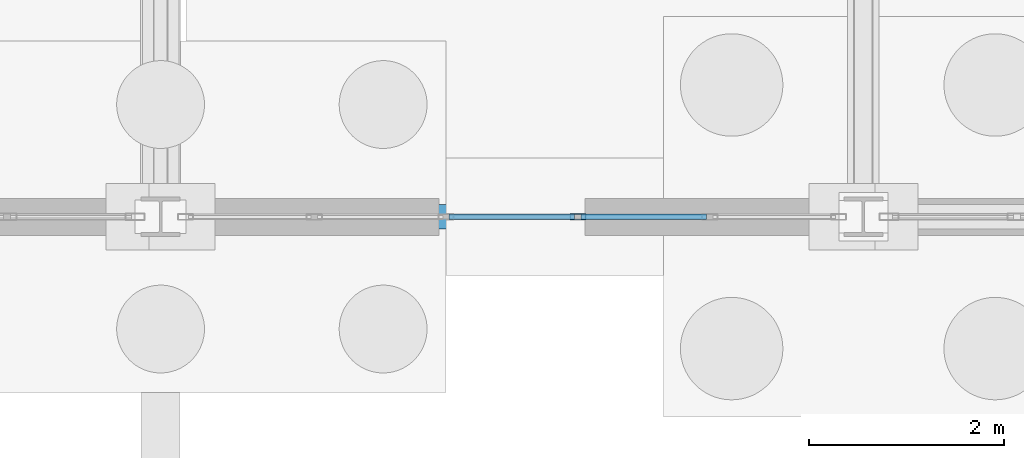
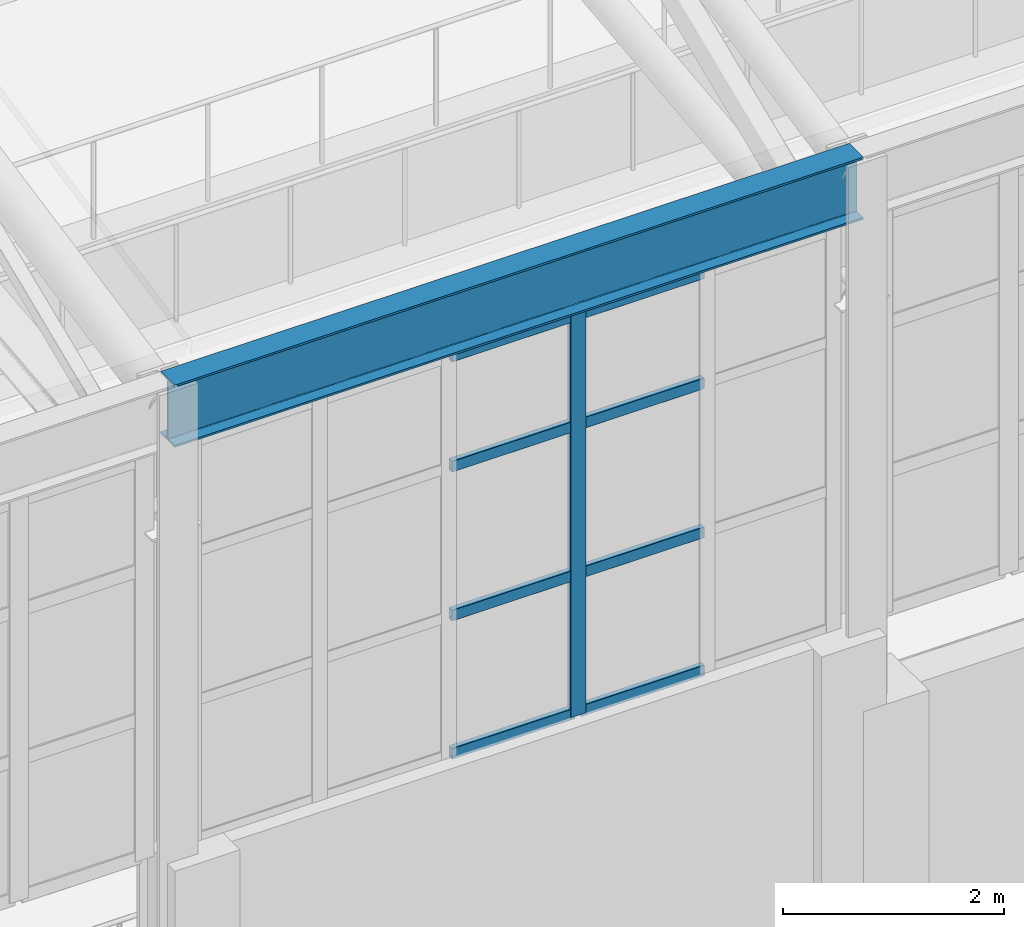
# One storey, part 113 of 293: 9 members, 1 beam, 1 element without a shape of its own.
"""IFC4 building model written with IfcOpenShell, lengths in metres."""

from ifc_helpers import new_model, si_unit, direction, frame, origin, origin_2d, place, context, subcontext, project, spatial, hollow_rectangle, i_section, extrude, material, layer, layer_set, material_profile, profile_set, type_object, element, aggregate, save


model = new_model("IFC4")

# Units and contexts
model_context = context("Model", 3, precision=1e-05, world=origin(), true_north=direction((0.0, 1.0)))
body_context = subcontext(model_context, "Body", "Model", "MODEL_VIEW")
ifc_project = project(units=[si_unit("LENGTHUNIT", "METRE"), si_unit("AREAUNIT", "SQUARE_METRE"), si_unit("VOLUMEUNIT", "CUBIC_METRE"), si_unit("PLANEANGLEUNIT", "RADIAN"), si_unit("MASSUNIT", "GRAM", prefix="KILO")], contexts=[model_context])

# Site, building, storey
site_placement = place(None, origin())
site = spatial("IfcSite", under=ifc_project, at=site_placement, CompositionType="ELEMENT")
building_placement = place(site_placement, origin())
building = spatial("IfcBuilding", under=site, at=building_placement, Name="Kemerveld Promenade Tramway Depot", CompositionType="ELEMENT")
storey_placement = place(building_placement, origin())
storey = spatial("IfcBuildingStorey", under=building, at=storey_placement, Name="L00", CompositionType="ELEMENT", Elevation=0.0)

# Beam
ifc_material_1 = material(Name="Steel S355", Category="steel")
ifc_material_profile_1 = material_profile(ifc_material_1, i_section(OverallWidth=0.25439453125, OverallDepth=0.6875, WebThickness=0.01318359375, FlangeThickness=0.02099609375, FilletRadius=0.01513671875, at=origin_2d()), Name="686x254x152 UB")
ifc_profile_set_1 = profile_set([ifc_material_profile_1], Name="Steel S355")
beam_type = type_object("IfcBeamType", Name="BM-G03", PredefinedType="BEAM", material=ifc_profile_set_1)
beam_placement = place(storey_placement, frame((57.60009765625, 84.0, 11.056396484375), z_axis=(1.0, 0.0, 0.0), x_axis=(0.0, 1.0, 0.0)))
element("IfcBeam", 1, at=beam_placement, inside=storey, type_object=beam_type, Name="BM-SHED-EAVE-N-09", PredefinedType="BEAM", context=body_context, shape_type="SweptSolid", body=[
    extrude(i_section(OverallWidth=0.25439453125, OverallDepth=0.6875, WebThickness=0.01318359375, FlangeThickness=0.02099609375, FilletRadius=0.01513671875, at=origin_2d()), origin(), (0.0, 0.0, 1.0), 7.199951171875),
])

# Curtain wall, members
ifc_material_2 = material(Name="Bronze anodised aluminium and solar glass", Category="aluminium")
ifc_layer = layer(ifc_material_2, 0.159912109375)
ifc_layer_set = layer_set([ifc_layer], Name="CW-SYS-07")
curtain_wall_type = type_object("IfcCurtainWallType", Name="CW-SYS-07", PredefinedType="USERDEFINED", material=ifc_layer_set)
curtain_wall_placement = place(storey_placement, origin())
curtain_wall = element("IfcCurtainWall", 2, at=curtain_wall_placement, inside=storey, type_object=curtain_wall_type, Name="CW-V1-S-04", ObjectType="GLAZED_CURTAIN_WALL", PredefinedType="USERDEFINED")
ifc_material_3 = material(Name="Bronze anodised aluminium", Category="aluminium")
ifc_material_profile_2 = material_profile(ifc_material_3, hollow_rectangle(XDim=0.06494140625, YDim=0.159912109375, WallThickness=0.00390625, InnerFilletRadius=0.001953125, OuterFilletRadius=0.00390625, at=origin_2d()), Name="CW-MUL-160x65")
ifc_profile_set_2 = profile_set([ifc_material_profile_2], Name="Bronze anodised aluminium")
member_type_1 = type_object("IfcMemberType", Name="CW-MUL-A", PredefinedType="MULLION", material=ifc_profile_set_2)
member_1_placement = place(storey_placement, frame((61.875244140625, 84.0, 6.199951171875), z_axis=(0.0, 0.0, 1.0), x_axis=(0.0, -1.0, 0.0)))
member_1 = element("IfcMember", 3, at=member_1_placement, type_object=member_type_1, Name="CW07 mullion 3", PredefinedType="MULLION", context=body_context, shape_type="SweptSolid", body=[
    extrude(hollow_rectangle(XDim=0.06494140625, YDim=0.159912109375, WallThickness=0.00390625, InnerFilletRadius=0.001953125, OuterFilletRadius=0.00390625, at=origin_2d()), origin(), (0.0, 0.0, 1.0), 4.449951171875),
])
ifc_material_profile_3 = material_profile(ifc_material_3, hollow_rectangle(XDim=0.06005859375, YDim=0.1201171875, WallThickness=0.00390625, InnerFilletRadius=0.001953125, OuterFilletRadius=0.00390625, at=origin_2d()), Name="CW-TRN-120x60")
ifc_profile_set_3 = profile_set([ifc_material_profile_3], Name="Bronze anodised aluminium")
member_type_2 = type_object("IfcMemberType", Name="CW-TRN-A", PredefinedType="USERDEFINED", material=ifc_profile_set_3)
member_2_placement = place(storey_placement, frame((63.193603515625, 84.0, 6.22998046875), z_axis=(-1.0, 0.0, 0.0), x_axis=(0.0, -1.0, 0.0)))
member_2 = element("IfcMember", 4, at=member_2_placement, type_object=member_type_2, Name="CW07 transom 2.1", ObjectType="TRANSOM", PredefinedType="USERDEFINED", context=body_context, shape_type="SweptSolid", body=[
    extrude(hollow_rectangle(XDim=0.06005859375, YDim=0.1201171875, WallThickness=0.00390625, InnerFilletRadius=0.001953125, OuterFilletRadius=0.00390625, at=origin_2d()), origin(), (0.0, 0.0, 1.0), 1.28564453125),
])
member_3_placement = place(storey_placement, frame((63.193603515625, 84.0, 7.758056640625), z_axis=(-1.0, 0.0, 0.0), x_axis=(0.0, -1.0, 0.0)))
member_3 = element("IfcMember", 5, at=member_3_placement, type_object=member_type_2, Name="CW07 transom 2.2", ObjectType="TRANSOM", PredefinedType="USERDEFINED", context=body_context, shape_type="SweptSolid", body=[
    extrude(hollow_rectangle(XDim=0.06005859375, YDim=0.1201171875, WallThickness=0.00390625, InnerFilletRadius=0.001953125, OuterFilletRadius=0.00390625, at=origin_2d()), origin(), (0.0, 0.0, 1.0), 1.28564453125),
])
member_4_placement = place(storey_placement, frame((63.193603515625, 84.0, 9.404052734375), z_axis=(-1.0, 0.0, 0.0), x_axis=(0.0, -1.0, 0.0)))
member_4 = element("IfcMember", 6, at=member_4_placement, type_object=member_type_2, Name="CW07 transom 2.3", ObjectType="TRANSOM", PredefinedType="USERDEFINED", context=body_context, shape_type="SweptSolid", body=[
    extrude(hollow_rectangle(XDim=0.06005859375, YDim=0.1201171875, WallThickness=0.00390625, InnerFilletRadius=0.001953125, OuterFilletRadius=0.00390625, at=origin_2d()), origin(), (0.0, 0.0, 1.0), 1.28564453125),
])
member_5_placement = place(storey_placement, frame((63.193603515625, 84.0, 10.6201171875), z_axis=(-1.0, 0.0, 0.0), x_axis=(0.0, -1.0, 0.0)))
member_5 = element("IfcMember", 7, at=member_5_placement, type_object=member_type_2, Name="CW07 transom 2.4", ObjectType="TRANSOM", PredefinedType="USERDEFINED", context=body_context, shape_type="SweptSolid", body=[
    extrude(hollow_rectangle(XDim=0.06005859375, YDim=0.1201171875, WallThickness=0.00390625, InnerFilletRadius=0.001953125, OuterFilletRadius=0.00390625, at=origin_2d()), origin(), (0.0, 0.0, 1.0), 1.28564453125),
])
member_6_placement = place(storey_placement, frame((61.8427734375, 84.0, 6.22998046875), z_axis=(-1.0, 0.0, 0.0), x_axis=(0.0, -1.0, 0.0)))
member_6 = element("IfcMember", 8, at=member_6_placement, type_object=member_type_2, Name="CW07 transom 3.1", ObjectType="TRANSOM", PredefinedType="USERDEFINED", context=body_context, shape_type="SweptSolid", body=[
    extrude(hollow_rectangle(XDim=0.06005859375, YDim=0.1201171875, WallThickness=0.00390625, InnerFilletRadius=0.001953125, OuterFilletRadius=0.00390625, at=origin_2d()), origin(), (0.0, 0.0, 1.0), 1.28564453125),
])
member_7_placement = place(storey_placement, frame((61.8427734375, 84.0, 7.758056640625), z_axis=(-1.0, 0.0, 0.0), x_axis=(0.0, -1.0, 0.0)))
member_7 = element("IfcMember", 9, at=member_7_placement, type_object=member_type_2, Name="CW07 transom 3.2", ObjectType="TRANSOM", PredefinedType="USERDEFINED", context=body_context, shape_type="SweptSolid", body=[
    extrude(hollow_rectangle(XDim=0.06005859375, YDim=0.1201171875, WallThickness=0.00390625, InnerFilletRadius=0.001953125, OuterFilletRadius=0.00390625, at=origin_2d()), origin(), (0.0, 0.0, 1.0), 1.28564453125),
])
member_8_placement = place(storey_placement, frame((61.8427734375, 84.0, 9.404052734375), z_axis=(-1.0, 0.0, 0.0), x_axis=(0.0, -1.0, 0.0)))
member_8 = element("IfcMember", 10, at=member_8_placement, type_object=member_type_2, Name="CW07 transom 3.3", ObjectType="TRANSOM", PredefinedType="USERDEFINED", context=body_context, shape_type="SweptSolid", body=[
    extrude(hollow_rectangle(XDim=0.06005859375, YDim=0.1201171875, WallThickness=0.00390625, InnerFilletRadius=0.001953125, OuterFilletRadius=0.00390625, at=origin_2d()), origin(), (0.0, 0.0, 1.0), 1.28564453125),
])
member_9_placement = place(storey_placement, frame((61.8427734375, 84.0, 10.6201171875), z_axis=(-1.0, 0.0, 0.0), x_axis=(0.0, -1.0, 0.0)))
member_9 = element("IfcMember", 11, at=member_9_placement, type_object=member_type_2, Name="CW07 transom 3.4", ObjectType="TRANSOM", PredefinedType="USERDEFINED", context=body_context, shape_type="SweptSolid", body=[
    extrude(hollow_rectangle(XDim=0.06005859375, YDim=0.1201171875, WallThickness=0.00390625, InnerFilletRadius=0.001953125, OuterFilletRadius=0.00390625, at=origin_2d()), origin(), (0.0, 0.0, 1.0), 1.28564453125),
])
aggregate(curtain_wall, [member_1, member_2, member_3, member_4, member_5, member_6, member_7, member_8, member_9])

save(model, "model.ifc")
